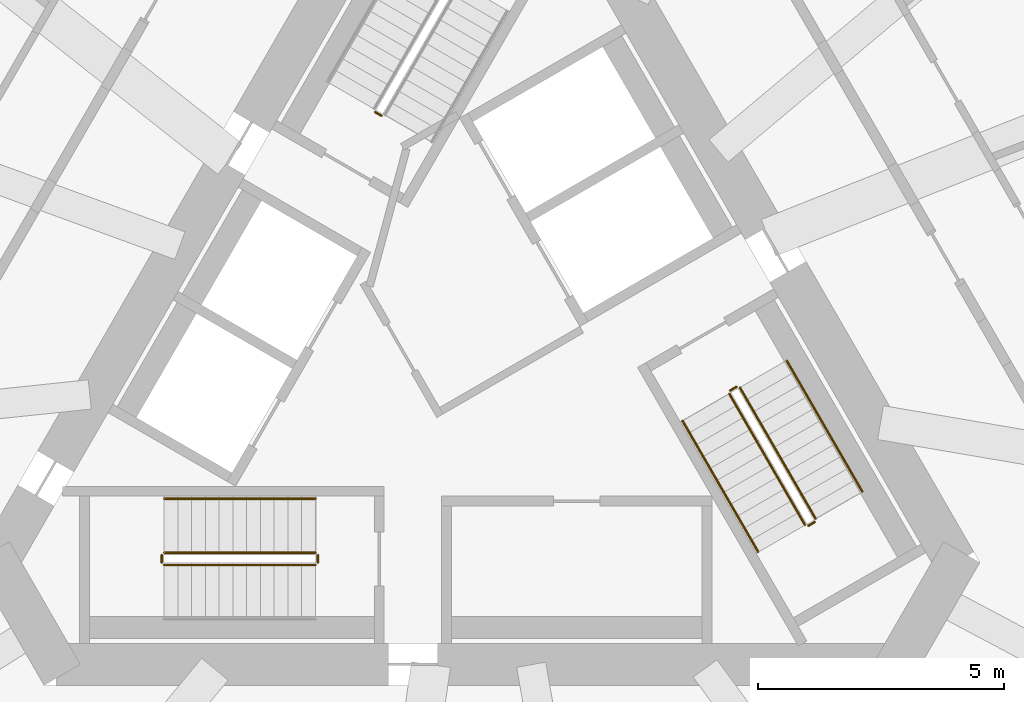
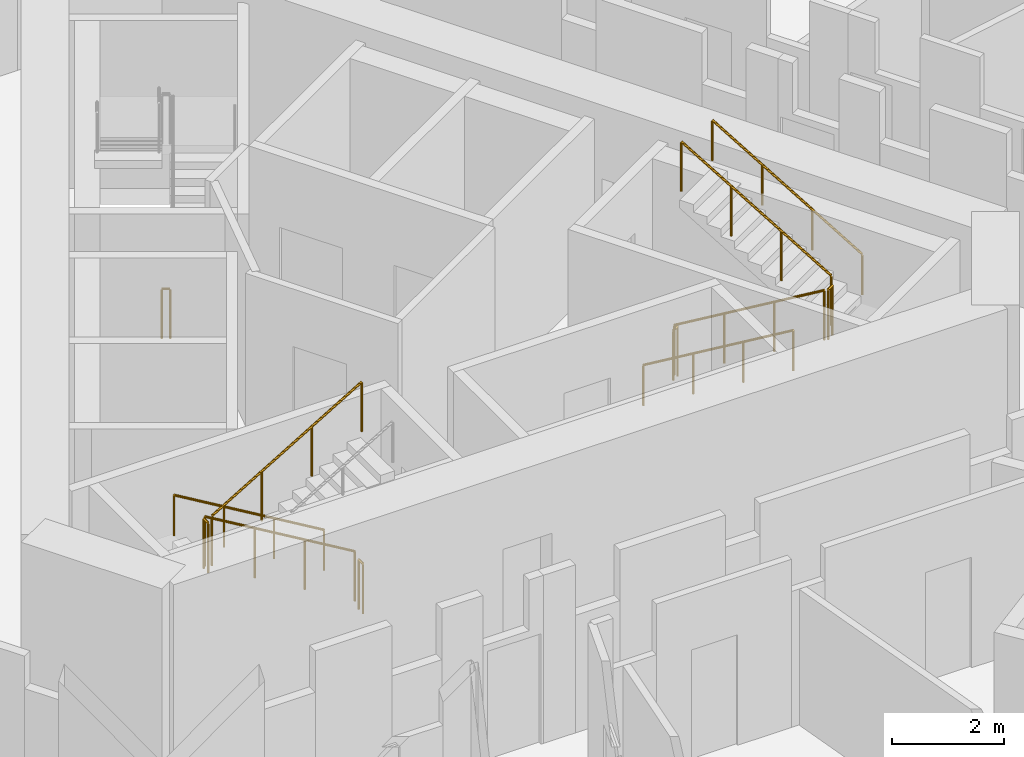
# One storey, part 11 of 14: 12 railings.
"""IFC4 building model written with IfcOpenShell, lengths in metres."""

import ifcopenshell
import ifcopenshell.guid

model = None  # the IFC model being written
_history = None  # IfcOwnerHistory: only IFC2X3 demands one
_inside = {}  # id of a spatial element -> (the spatial element, [elements in it])
_under = {}  # id of a project, library or spatial element -> (it, [spatial elements below it])
_declared = {}  # id of a project -> (the project, [libraries it declares])
_typed = {}  # id of a type object -> (the type object, [elements of that type])
_made_of = {}  # id of a material, layer set ... -> (it, [elements and type objects made of it])


def new_model(schema):
    """Start an empty IFC model of exactly this schema.

    Asked for "IFC4X3", IfcOpenShell would pick the latest addendum, in which some entities
    have other attributes; the version numbers below select the first issue.
    IFC2X3 requires an IfcOwnerHistory on every rooted entity: one is made here for all.
    """
    global model, _history
    if schema == "IFC4X3":
        model = ifcopenshell.file(schema_version=(4, 3, 0, 0))
    else:
        model = ifcopenshell.file(schema=schema)
    _inside.clear()
    _under.clear()
    _declared.clear()
    _typed.clear()
    _made_of.clear()
    _history = None
    if model.schema == "IFC2X3":
        org = make("IfcOrganization", Name="unknown")
        user = make(
            "IfcPersonAndOrganization",
            ThePerson=make("IfcPerson", FamilyName="unknown"),
            TheOrganization=org,
        )
        app = make(
            "IfcApplication",
            ApplicationDeveloper=org,
            Version="unknown",
            ApplicationFullName="unknown",
            ApplicationIdentifier="unknown",
        )
        _history = make(
            "IfcOwnerHistory",
            OwningUser=user,
            OwningApplication=app,
            ChangeAction="ADDED",
            CreationDate=0,
        )
    return model


def make(cls, **values):
    """One entity of the class cls with the attributes given. An attribute that is None is left unset."""
    return model.create_entity(
        cls, **{name: value for name, value in values.items() if value is not None}
    )


def rooted(cls, **values):
    """An entity with a GlobalId (a new one), such as an element, a storey or a relation."""
    return make(cls, GlobalId=ifcopenshell.guid.new(), OwnerHistory=_history, **values)


def si_unit(unit_type, name, prefix=None):
    """IfcSIUnit, for example si_unit("LENGTHUNIT", "METRE", prefix="MILLI")."""
    return make("IfcSIUnit", UnitType=unit_type, Prefix=prefix, Name=name)


def assignment(units):
    """IfcUnitAssignment: the units of a project."""
    return None if units is None else make("IfcUnitAssignment", Units=units)


def point(xyz):
    """IfcCartesianPoint."""
    return None if xyz is None else make("IfcCartesianPoint", Coordinates=xyz)


def direction(xyz):
    """IfcDirection."""
    return None if xyz is None else make("IfcDirection", DirectionRatios=xyz)


def frame(location, z_axis=None, x_axis=None):
    """IfcAxis2Placement3D, a coordinate frame: its origin and axes. An axis left out is left unset."""
    return make(
        "IfcAxis2Placement3D",
        Location=point(location),
        Axis=direction(z_axis),
        RefDirection=direction(x_axis),
    )


def frame_2d(location, x_axis=None):
    """IfcAxis2Placement2D, a coordinate frame in the plane: its origin and x axis."""
    return make(
        "IfcAxis2Placement2D", Location=point(location), RefDirection=direction(x_axis)
    )


def origin():
    """The frame at (0, 0, 0) with its axes left unset."""
    return frame((0.0, 0.0, 0.0))


def origin_2d():
    """The frame at (0, 0) in the plane with its x axis left unset."""
    return frame_2d((0.0, 0.0))


def place(relative_to, where):
    """IfcLocalPlacement: puts the frame where relative to a parent placement (None: the world)."""
    return make(
        "IfcLocalPlacement", PlacementRelTo=relative_to, RelativePlacement=where
    )


def context(
    kind, dimensions, precision=None, world=None, true_north=None, identifier=None
):
    """IfcGeometricRepresentationContext, for example the 3D "Model" context."""
    return make(
        "IfcGeometricRepresentationContext",
        ContextIdentifier=identifier,
        ContextType=kind,
        CoordinateSpaceDimension=dimensions,
        Precision=precision,
        WorldCoordinateSystem=world,
        TrueNorth=true_north,
    )


def subcontext(parent, identifier, kind, view, scale=None):
    """IfcGeometricRepresentationSubContext, for example "Body" below "Model"."""
    return make(
        "IfcGeometricRepresentationSubContext",
        ContextIdentifier=identifier,
        ContextType=kind,
        ParentContext=parent,
        TargetScale=scale,
        TargetView=view,
    )


def project(units=None, contexts=None):
    """IfcProject with its units and contexts."""
    return rooted(
        "IfcProject",
        Name="project",
        RepresentationContexts=contexts,
        UnitsInContext=assignment(units),
    )


def spatial(cls, under=None, at=None, **own):
    """A site, building, storey or space (cls), placed at a placement, below another one or the project."""
    s = rooted(cls, ObjectPlacement=at, **own)
    if under is not None:
        _under.setdefault(under.id(), (under, []))[1].append(s)
    return s


def profile(cls, at=None, kind="AREA", **sizes):
    """A parametric profile (cls). Its sizes go by their IFC names, for example OverallWidth=200.0."""
    return make(cls, ProfileType=kind, Position=at, **sizes)


def circle(**sizes):
    """IfcCircleProfileDef."""
    return profile("IfcCircleProfileDef", **sizes)


def extrude(swept, where, along, depth):
    """IfcExtrudedAreaSolid: the profile swept, set in the frame where, extruded along a direction by depth."""
    return make(
        "IfcExtrudedAreaSolid",
        SweptArea=swept,
        Position=where,
        ExtrudedDirection=direction(along),
        Depth=depth,
    )


def shape(context_of_items, identifier, shape_type, items):
    """IfcShapeRepresentation: the items that make up one representation, for example the "Body"."""
    return make(
        "IfcShapeRepresentation",
        ContextOfItems=context_of_items,
        RepresentationIdentifier=identifier,
        RepresentationType=shape_type,
        Items=items,
    )


def material(Name=None, Category=None):
    """IfcMaterial."""
    return make("IfcMaterial", Name=Name, Category=Category)


def made_of(thing, what):
    """Note that an element or type object is made of a material, layer set ...; save() writes the relation."""
    if what is not None:
        _made_of.setdefault(what.id(), (what, []))[1].append(thing)
    return thing


def type_object(cls, material=None, **own):
    """A type object (cls), such as IfcWallType, which elements share."""
    return made_of(rooted(cls, **own), material)


def element(
    cls,
    number,
    at=None,
    inside=None,
    cuts=None,
    type_object=None,
    material=None,
    context=None,
    identifier="Body",
    shape_type=None,
    held_by="IfcProductDefinitionShape",
    body=None,
    shapes=None,
    **own,
):
    """One element of the class cls, such as IfcWall. Its Tag is "e" and its number.

    at: its placement. inside: the storey or other place that contains it. cuts: it is an
    opening in that element (IfcRelVoidsElement). A single representation is given by context,
    identifier, shape_type and body (its items); several are given by shapes. held_by: the class
    of the entity that holds the representations. save() writes the other relations.
    """
    e = rooted(cls, Tag="e%d" % number, ObjectPlacement=at, **own)
    if body is not None:
        shapes = [shape(context, identifier, shape_type, body)]
    if shapes is not None:
        e.Representation = make(held_by, Representations=shapes)
    if inside is not None:
        _inside.setdefault(inside.id(), (inside, []))[1].append(e)
    if cuts is not None:
        rooted(
            "IfcRelVoidsElement", RelatingBuildingElement=cuts, RelatedOpeningElement=e
        )
    if type_object is not None:
        _typed.setdefault(type_object.id(), (type_object, []))[1].append(e)
    return made_of(e, material)


def aggregate(whole, parts):
    """IfcRelAggregates: a whole, such as a stair, and the parts it consists of."""
    return rooted("IfcRelAggregates", RelatingObject=whole, RelatedObjects=parts)


def save(model, path):
    """Write the relations noted so far, then the file.

    IfcRelAggregates (storeys below a building ...), IfcRelContainedInSpatialStructure (elements
    in a storey), IfcRelDefinesByType, IfcRelAssociatesMaterial and IfcRelDeclares: one each for
    every whole, place, type object, material and project.
    """
    for whole, parts in _under.values():
        aggregate(whole, parts)
    for where, things in _inside.values():
        rooted(
            "IfcRelContainedInSpatialStructure",
            RelatedElements=things,
            RelatingStructure=where,
        )
    for kind, things in _typed.values():
        rooted("IfcRelDefinesByType", RelatedObjects=things, RelatingType=kind)
    for what, things in _made_of.values():
        rooted("IfcRelAssociatesMaterial", RelatedObjects=things, RelatingMaterial=what)
    for by, libraries in _declared.values():
        rooted("IfcRelDeclares", RelatingContext=by, RelatedDefinitions=libraries)
    model.write(path)


model = new_model("IFC4")

# Units and contexts
model_context = context("Model", 3, precision=1e-05, world=origin(), true_north=direction((0.0, 1.0)))
body_context = subcontext(model_context, "Body", "Model", "MODEL_VIEW")
ifc_project = project(units=[si_unit("LENGTHUNIT", "METRE"), si_unit("AREAUNIT", "SQUARE_METRE"), si_unit("VOLUMEUNIT", "CUBIC_METRE"), si_unit("PLANEANGLEUNIT", "RADIAN"), si_unit("MASSUNIT", "GRAM", prefix="KILO")], contexts=[model_context])

# Site, building, storey
site_placement = place(None, origin())
site = spatial("IfcSite", under=ifc_project, at=site_placement, CompositionType="ELEMENT")
building_placement = place(site_placement, origin())
building = spatial("IfcBuilding", under=site, at=building_placement, Name="Tramontana Tower", CompositionType="ELEMENT")
storey_placement = place(building_placement, frame((0.0, 0.0, 162.800048828125)))
storey = spatial("IfcBuildingStorey", under=building, at=storey_placement, Name="L37", CompositionType="ELEMENT", Elevation=162.800048828125)

# Railings
ifc_material_1 = material(Name="Painted steel", Category="steel")
railing_type_1 = type_object("IfcRailingType", Name="STAIR GUARD 1100", PredefinedType="GUARDRAIL", material=ifc_material_1)
railing_1_placement = place(storey_placement, frame((-1.935791015625, 4.84716796875, 0.0)))
element("IfcRailing", 1, at=railing_1_placement, inside=storey, type_object=railing_type_1, Name="L37 ST1 stair guard 4", PredefinedType="GUARDRAIL", context=body_context, shape_type="SweptSolid", body=[
    extrude(circle(Radius=0.02392578125, at=origin_2d()), frame((0.0, 0.0, 1.076171875), z_axis=(-0.865426285481, 0.501036270542, 0.0), x_axis=(-0.501036270542, -0.865426285481, 0.0)), (0.0, 0.0, 1.0), 0.150146484375),
    extrude(circle(Radius=0.02099609375, at=origin_2d()), origin(), (0.0, 0.0, 1.0), 1.052001953125),
    extrude(circle(Radius=0.02099609375, at=origin_2d()), frame((-0.1298828125, 0.0751953125, 0.0)), (0.0, 0.0, 1.0), 1.052001953125),
])
railing_2_placement = place(storey_placement, frame((-3.280029296875, -4.050048828125, 0.16650390625)))
element("IfcRailing", 2, at=railing_2_placement, inside=storey, type_object=railing_type_1, Name="L37 ST2 stair guard 1", PredefinedType="GUARDRAIL", context=body_context, shape_type="SweptSolid", body=[
    extrude(circle(Radius=0.02392578125, at=origin_2d()), frame((0.0, 0.0, 1.076171875), z_axis=(-0.85927862911, 0.0, 0.511507807912), x_axis=(0.0, -1.0, 0.0)), (0.0, 0.0, 1.0), 3.58447265625),
    extrude(circle(Radius=0.02099609375, at=origin_2d()), origin(), (0.0, 0.0, 1.0), 1.052001953125),
    extrude(circle(Radius=0.02099609375, at=origin_2d()), frame((-1.026611328125, 0.0, 0.611083984375)), (0.0, 0.0, 1.0), 1.052001953125),
    extrude(circle(Radius=0.02099609375, at=origin_2d()), frame((-2.053466796875, 0.0, 1.222412109375)), (0.0, 0.0, 1.0), 1.052001953125),
    extrude(circle(Radius=0.02099609375, at=origin_2d()), frame((-3.080078125, 0.0, 1.83349609375)), (0.0, 0.0, 1.0), 1.052001953125),
])
railing_3_placement = place(storey_placement, frame((-6.360107421875, -4.300048828125, 2.16650390625)))
element("IfcRailing", 3, at=railing_3_placement, inside=storey, type_object=railing_type_1, Name="L37 ST2 stair guard 2", PredefinedType="GUARDRAIL", context=body_context, shape_type="SweptSolid", body=[
    extrude(circle(Radius=0.02392578125, at=origin_2d()), frame((0.0, 0.0, 1.076171875), z_axis=(0.85927862911, 0.0, 0.511507807912), x_axis=(0.0, 1.0, 0.0)), (0.0, 0.0, 1.0), 3.58447265625),
    extrude(circle(Radius=0.02099609375, at=origin_2d()), origin(), (0.0, 0.0, 1.0), 1.052001953125),
    extrude(circle(Radius=0.02099609375, at=origin_2d()), frame((1.026611328125, 0.0, 0.611083984375)), (0.0, 0.0, 1.0), 1.052001953125),
    extrude(circle(Radius=0.02099609375, at=origin_2d()), frame((2.053466796875, 0.0, 1.222412109375)), (0.0, 0.0, 1.0), 1.052001953125),
    extrude(circle(Radius=0.02099609375, at=origin_2d()), frame((3.080078125, 0.0, 1.83349609375)), (0.0, 0.0, 1.0), 1.052001953125),
])
for number, where, name in (
    (4, (-6.409912109375, -4.10009765625, 2.0), "L37 ST2 stair guard 3"),
    (5, (-3.22998046875, -4.10009765625, 0.0), "L37 ST2 stair guard 4"),
):
    element("IfcRailing", number, at=place(storey_placement, frame(where)), inside=storey, type_object=railing_type_1, Name=name, PredefinedType="GUARDRAIL", context=body_context, shape_type="SweptSolid", body=[
        extrude(circle(Radius=0.02392578125, at=origin_2d()), frame((0.0, 0.0, 1.076171875), z_axis=(0.0, -1.0, 0.0), x_axis=(1.0, 0.0, 0.0)), (0.0, 0.0, 1.0), 0.14990234375),
        extrude(circle(Radius=0.02099609375, at=origin_2d()), origin(), (0.0, 0.0, 1.0), 1.052001953125),
        extrude(circle(Radius=0.02099609375, at=origin_2d()), frame((0.0, -0.14990234375, 0.0)), (0.0, 0.0, 1.0), 1.052001953125),
    ])
railing_4_placement = place(storey_placement, frame((5.1474609375, -0.815673828125, 0.16650390625)))
element("IfcRailing", 6, at=railing_4_placement, inside=storey, type_object=railing_type_1, Name="L37 ST3 stair guard 1", PredefinedType="GUARDRAIL", context=body_context, shape_type="SweptSolid", body=[
    extrude(circle(Radius=0.02392578125, at=origin_2d()), frame((0.0, 0.0, 1.076171875), z_axis=(0.429656224001, -0.744133520484, 0.511527939481), x_axis=(0.866010015463, 0.500026652407, 0.0)), (0.0, 0.0, 1.0), 3.58447265625),
    extrude(circle(Radius=0.02099609375, at=origin_2d()), origin(), (0.0, 0.0, 1.0), 1.052001953125),
    extrude(circle(Radius=0.02099609375, at=origin_2d()), frame((0.513427734375, -0.88916015625, 0.611083984375)), (0.0, 0.0, 1.0), 1.052001953125),
    extrude(circle(Radius=0.02099609375, at=origin_2d()), frame((1.026611328125, -1.778076171875, 1.222412109375)), (0.0, 0.0, 1.0), 1.052001953125),
    extrude(circle(Radius=0.02099609375, at=origin_2d()), frame((1.5400390625, -2.667236328125, 1.83349609375)), (0.0, 0.0, 1.0), 1.052001953125),
])
railing_5_placement = place(storey_placement, frame((6.90380859375, -3.35791015625, 2.16650390625)))
element("IfcRailing", 7, at=railing_5_placement, inside=storey, type_object=railing_type_1, Name="L37 ST3 stair guard 2", PredefinedType="GUARDRAIL", context=body_context, shape_type="SweptSolid", body=[
    extrude(circle(Radius=0.02392578125, at=origin_2d()), frame((0.0, 0.0, 1.076171875), z_axis=(-0.429600682602, 0.744155296881, 0.511542908886), x_axis=(-0.866044340336, -0.499967199496, 0.0)), (0.0, 0.0, 1.0), 3.584228515625),
    extrude(circle(Radius=0.02099609375, at=origin_2d()), origin(), (0.0, 0.0, 1.0), 1.052001953125),
    extrude(circle(Radius=0.02099609375, at=origin_2d()), frame((-0.51318359375, 0.88916015625, 0.611083984375)), (0.0, 0.0, 1.0), 1.052001953125),
    extrude(circle(Radius=0.02099609375, at=origin_2d()), frame((-1.026611328125, 1.778076171875, 1.222412109375)), (0.0, 0.0, 1.0), 1.052001953125),
    extrude(circle(Radius=0.02099609375, at=origin_2d()), frame((-1.539794921875, 2.667236328125, 1.83349609375)), (0.0, 0.0, 1.0), 1.052001953125),
])
for number, where, name in (
    (8, (6.755615234375, -3.501220703125, 2.0), "L37 ST3 stair guard 3"),
    (9, (5.165771484375, -0.747314453125, 0.0), "L37 ST3 stair guard 4"),
):
    element("IfcRailing", number, at=place(storey_placement, frame(where)), inside=storey, type_object=railing_type_1, Name=name, PredefinedType="GUARDRAIL", context=body_context, shape_type="SweptSolid", body=[
        extrude(circle(Radius=0.02392578125, at=origin_2d()), frame((0.0, 0.0, 1.076171875), z_axis=(0.866131372301, 0.499816412211, 0.0), x_axis=(-0.499816412211, 0.866131372301, 0.0)), (0.0, 0.0, 1.0), 0.14990234375),
        extrude(circle(Radius=0.02099609375, at=origin_2d()), origin(), (0.0, 0.0, 1.0), 1.052001953125),
        extrude(circle(Radius=0.02099609375, at=origin_2d()), frame((0.1298828125, 0.074951171875, 0.0)), (0.0, 0.0, 1.0), 1.052001953125),
    ])
ifc_material_2 = material(Name="Painted steel", Category="steel")
railing_type_2 = type_object("IfcRailingType", Name="STAIR HANDRAIL 900", PredefinedType="HANDRAIL", material=ifc_material_2)
railing_6_placement = place(storey_placement, frame((-3.280029296875, -2.949951171875, 0.16650390625)))
element("IfcRailing", 10, at=railing_6_placement, inside=storey, type_object=railing_type_2, Name="L37 ST2 stair handrail 1", PredefinedType="HANDRAIL", context=body_context, shape_type="SweptSolid", body=[
    extrude(circle(Radius=0.02392578125, at=origin_2d()), frame((0.0, 0.0, 0.8759765625), z_axis=(-0.85927862911, 0.0, 0.511507807912), x_axis=(0.0, -1.0, 0.0)), (0.0, 0.0, 1.0), 3.58447265625),
    extrude(circle(Radius=0.02099609375, at=origin_2d()), origin(), (0.0, 0.0, 1.0), 0.851806640625),
    extrude(circle(Radius=0.02099609375, at=origin_2d()), frame((-1.026611328125, 0.0, 0.611083984375)), (0.0, 0.0, 1.0), 0.851806640625),
    extrude(circle(Radius=0.02099609375, at=origin_2d()), frame((-2.053466796875, 0.0, 1.222412109375)), (0.0, 0.0, 1.0), 0.851806640625),
    extrude(circle(Radius=0.02099609375, at=origin_2d()), frame((-3.080078125, 0.0, 1.83349609375)), (0.0, 0.0, 1.0), 0.851806640625),
])
railing_7_placement = place(storey_placement, frame((4.19482421875, -1.365478515625, 0.16650390625)))
element("IfcRailing", 11, at=railing_7_placement, inside=storey, type_object=railing_type_2, Name="L37 ST3 stair handrail 1", PredefinedType="HANDRAIL", context=body_context, shape_type="SweptSolid", body=[
    extrude(circle(Radius=0.02392578125, at=origin_2d()), frame((0.0, 0.0, 0.8759765625), z_axis=(0.429634447492, -0.7441639146, 0.511502013422), x_axis=(0.866029832698, 0.499992328818, 0.0)), (0.0, 0.0, 1.0), 3.58447265625),
    extrude(circle(Radius=0.02099609375, at=origin_2d()), origin(), (0.0, 0.0, 1.0), 0.851806640625),
    extrude(circle(Radius=0.02099609375, at=origin_2d()), frame((0.513427734375, -0.88916015625, 0.611083984375)), (0.0, 0.0, 1.0), 0.851806640625),
    extrude(circle(Radius=0.02099609375, at=origin_2d()), frame((1.026611328125, -1.7783203125, 1.222412109375)), (0.0, 0.0, 1.0), 0.851806640625),
    extrude(circle(Radius=0.02099609375, at=origin_2d()), frame((1.5400390625, -2.66748046875, 1.83349609375)), (0.0, 0.0, 1.0), 0.851806640625),
])
railing_8_placement = place(storey_placement, frame((7.8564453125, -2.807861328125, 2.16650390625)))
element("IfcRailing", 12, at=railing_8_placement, inside=storey, type_object=railing_type_2, Name="L37 ST3 stair handrail 2", PredefinedType="HANDRAIL", context=body_context, shape_type="SweptSolid", body=[
    extrude(circle(Radius=0.02392578125, at=origin_2d()), frame((0.0, 0.0, 0.8759765625), z_axis=(-0.429600682602, 0.744155296881, 0.511542908886), x_axis=(-0.866044340336, -0.499967199496, 0.0)), (0.0, 0.0, 1.0), 3.584228515625),
    extrude(circle(Radius=0.02099609375, at=origin_2d()), origin(), (0.0, 0.0, 1.0), 0.851806640625),
    extrude(circle(Radius=0.02099609375, at=origin_2d()), frame((-0.51318359375, 0.88916015625, 0.611083984375)), (0.0, 0.0, 1.0), 0.851806640625),
    extrude(circle(Radius=0.02099609375, at=origin_2d()), frame((-1.026611328125, 1.778076171875, 1.222412109375)), (0.0, 0.0, 1.0), 0.851806640625),
    extrude(circle(Radius=0.02099609375, at=origin_2d()), frame((-1.539794921875, 2.667236328125, 1.83349609375)), (0.0, 0.0, 1.0), 0.851806640625),
])

save(model, "model.ifc")
